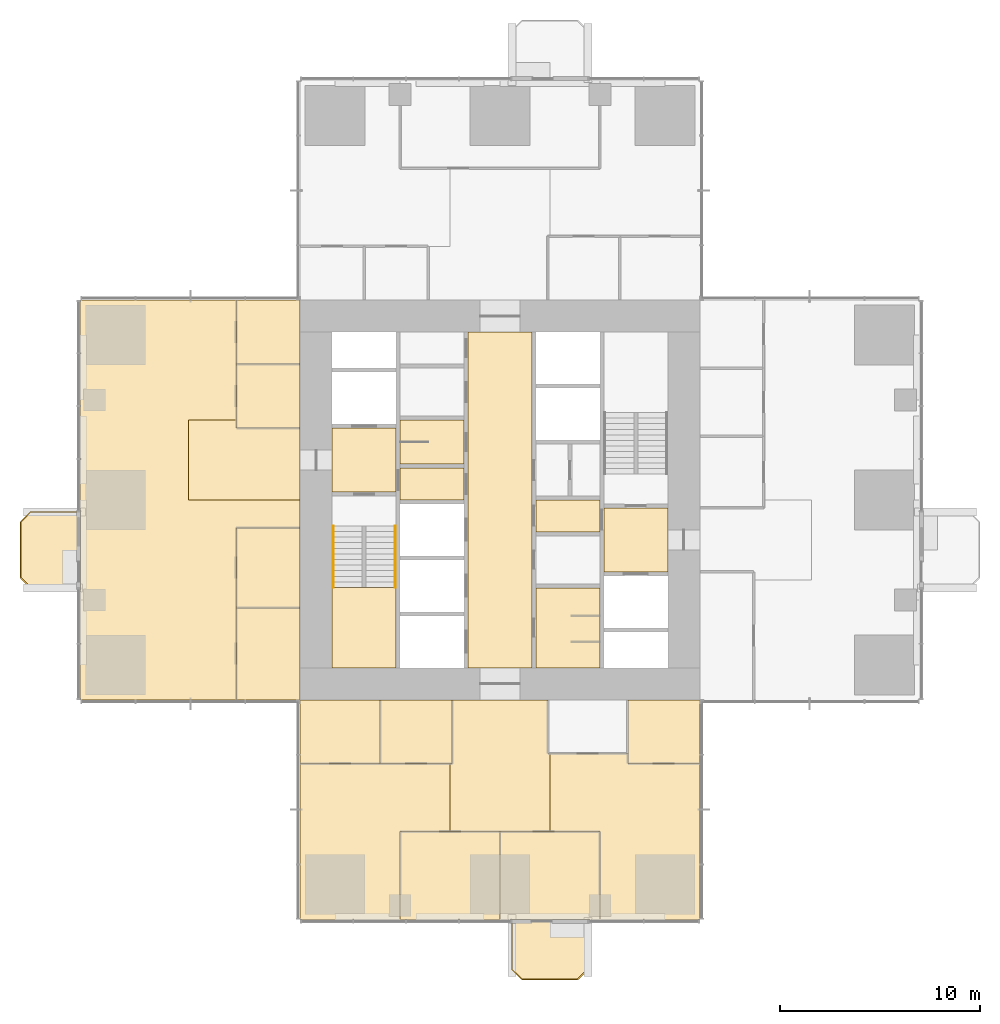
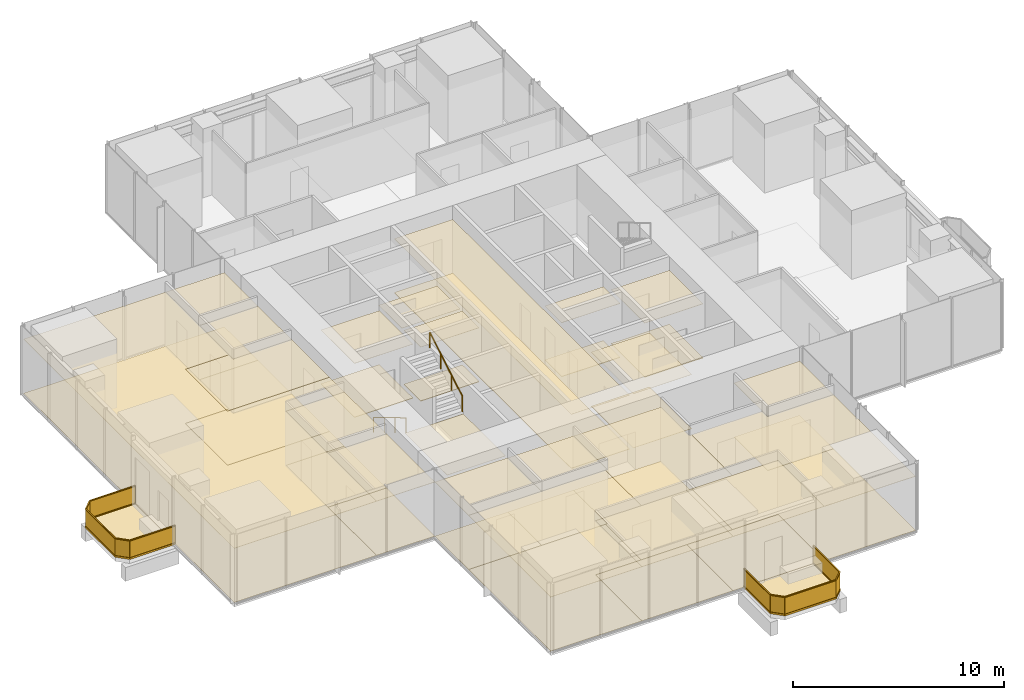
# One storey, part 11 of 13: 44 coverings, 4 railings.
"""IFC4 building model written with IfcOpenShell, lengths in metres."""

from ifc_helpers import new_model, si_unit, direction, frame, origin, origin_2d, place, context, subcontext, project, spatial, polyline, rectangle, circle, outline, extrude, material, layer, layer_set, type_object, element, save


model = new_model("IFC4")

# Units and contexts
model_context = context("Model", 3, precision=1e-05, world=origin(), true_north=direction((0.0, 1.0)))
body_context = subcontext(model_context, "Body", "Model", "MODEL_VIEW")
ifc_project = project(units=[si_unit("LENGTHUNIT", "METRE"), si_unit("AREAUNIT", "SQUARE_METRE"), si_unit("VOLUMEUNIT", "CUBIC_METRE"), si_unit("PLANEANGLEUNIT", "RADIAN"), si_unit("MASSUNIT", "GRAM", prefix="KILO")], contexts=[model_context])

# Site, building, storey
site_placement = place(None, origin())
site = spatial("IfcSite", under=ifc_project, at=site_placement, CompositionType="ELEMENT")
building_placement = place(site_placement, origin())
building = spatial("IfcBuilding", under=site, at=building_placement, Name="Svetlomir Tower", CompositionType="ELEMENT")
storey_placement = place(building_placement, frame((0.0, 0.0, 128.5)))
storey = spatial("IfcBuildingStorey", under=building, at=storey_placement, Name="L30", CompositionType="ELEMENT", Elevation=128.5)

# Railings
ifc_material_1 = material(Name="Bronze anodised aluminium and laminated glass", Category="aluminium")
railing_type_1 = type_object("IfcRailingType", Name="BALCONY GUARD GR1 1100", PredefinedType="GUARDRAIL", material=ifc_material_1)
railing_1_placement = place(storey_placement, frame((21.60009765625, 0.0, 0.0)))
element("IfcRailing", 1, at=railing_1_placement, inside=storey, type_object=railing_type_1, Name="Balcony guard S L30", PredefinedType="GUARDRAIL", context=body_context, shape_type="SweptSolid", body=[
    extrude(rectangle(XDim=0.06005859375, YDim=0.10009765625, at=origin_2d()), frame((0.0, 0.0, 0.050048828125), z_axis=(0.0, -1.0, 0.0), x_axis=(1.0, 0.0, 0.0)), (0.0, 0.0, 1.0), 2.5),
    extrude(rectangle(XDim=0.021484375, YDim=0.960205078125, at=origin_2d()), frame((0.0, 0.0, 0.580078125), z_axis=(0.0, -1.0, 0.0), x_axis=(1.0, 0.0, 0.0)), (0.0, 0.0, 1.0), 2.5),
    extrude(rectangle(XDim=0.06005859375, YDim=0.0400390625, at=origin_2d()), frame((0.0, 0.0, 1.080078125), z_axis=(0.0, -1.0, 0.0), x_axis=(1.0, 0.0, 0.0)), (0.0, 0.0, 1.0), 2.5),
    extrude(rectangle(XDim=0.06005859375, YDim=0.10009765625, at=origin_2d()), frame((0.0, -2.5, 0.050048828125), z_axis=(0.707106781187, -0.707106781187, 0.0), x_axis=(0.707106781187, 0.707106781187, 0.0)), (0.0, 0.0, 1.0), 0.70703125),
    extrude(rectangle(XDim=0.021484375, YDim=0.960205078125, at=origin_2d()), frame((0.0, -2.5, 0.580078125), z_axis=(0.707106781187, -0.707106781187, 0.0), x_axis=(0.707106781187, 0.707106781187, 0.0)), (0.0, 0.0, 1.0), 0.70703125),
    extrude(rectangle(XDim=0.06005859375, YDim=0.0400390625, at=origin_2d()), frame((0.0, -2.5, 1.080078125), z_axis=(0.707106781187, -0.707106781187, 0.0), x_axis=(0.707106781187, 0.707106781187, 0.0)), (0.0, 0.0, 1.0), 0.70703125),
    extrude(rectangle(XDim=0.06005859375, YDim=0.10009765625, at=origin_2d()), frame((0.5, -3.0, 0.050048828125), z_axis=(1.0, 0.0, 0.0), x_axis=(0.0, 1.0, 0.0)), (0.0, 0.0, 1.0), 2.7998046875),
    extrude(rectangle(XDim=0.021484375, YDim=0.960205078125, at=origin_2d()), frame((0.5, -3.0, 0.580078125), z_axis=(1.0, 0.0, 0.0), x_axis=(0.0, 1.0, 0.0)), (0.0, 0.0, 1.0), 2.7998046875),
    extrude(rectangle(XDim=0.06005859375, YDim=0.0400390625, at=origin_2d()), frame((0.5, -3.0, 1.080078125), z_axis=(1.0, 0.0, 0.0), x_axis=(0.0, 1.0, 0.0)), (0.0, 0.0, 1.0), 2.7998046875),
    extrude(rectangle(XDim=0.06005859375, YDim=0.10009765625, at=origin_2d()), frame((3.2998046875, -3.0, 0.050048828125), z_axis=(0.707106781187, 0.707106781187, 0.0), x_axis=(-0.707106781187, 0.707106781187, 0.0)), (0.0, 0.0, 1.0), 0.70703125),
    extrude(rectangle(XDim=0.021484375, YDim=0.960205078125, at=origin_2d()), frame((3.2998046875, -3.0, 0.580078125), z_axis=(0.707106781187, 0.707106781187, 0.0), x_axis=(-0.707106781187, 0.707106781187, 0.0)), (0.0, 0.0, 1.0), 0.70703125),
    extrude(rectangle(XDim=0.06005859375, YDim=0.0400390625, at=origin_2d()), frame((3.2998046875, -3.0, 1.080078125), z_axis=(0.707106781187, 0.707106781187, 0.0), x_axis=(-0.707106781187, 0.707106781187, 0.0)), (0.0, 0.0, 1.0), 0.70703125),
    extrude(rectangle(XDim=0.06005859375, YDim=0.10009765625, at=origin_2d()), frame((3.7998046875, -2.5, 0.050048828125), z_axis=(0.0, 1.0, 0.0), x_axis=(-1.0, 0.0, 0.0)), (0.0, 0.0, 1.0), 2.5),
    extrude(rectangle(XDim=0.021484375, YDim=0.960205078125, at=origin_2d()), frame((3.7998046875, -2.5, 0.580078125), z_axis=(0.0, 1.0, 0.0), x_axis=(-1.0, 0.0, 0.0)), (0.0, 0.0, 1.0), 2.5),
    extrude(rectangle(XDim=0.06005859375, YDim=0.0400390625, at=origin_2d()), frame((3.7998046875, -2.5, 1.080078125), z_axis=(0.0, 1.0, 0.0), x_axis=(-1.0, 0.0, 0.0)), (0.0, 0.0, 1.0), 2.5),
])
railing_2_placement = place(storey_placement, frame((0.0, 20.39990234375, 0.0)))
element("IfcRailing", 2, at=railing_2_placement, inside=storey, type_object=railing_type_1, Name="Balcony guard W L30", PredefinedType="GUARDRAIL", context=body_context, shape_type="SweptSolid", body=[
    extrude(rectangle(XDim=0.06005859375, YDim=0.10009765625, at=origin_2d()), frame((0.0, 0.0, 0.050048828125), z_axis=(-1.0, 0.0, 0.0), x_axis=(0.0, -1.0, 0.0)), (0.0, 0.0, 1.0), 2.5),
    extrude(rectangle(XDim=0.021484375, YDim=0.960205078125, at=origin_2d()), frame((0.0, 0.0, 0.580078125), z_axis=(-1.0, 0.0, 0.0), x_axis=(0.0, -1.0, 0.0)), (0.0, 0.0, 1.0), 2.5),
    extrude(rectangle(XDim=0.06005859375, YDim=0.0400390625, at=origin_2d()), frame((0.0, 0.0, 1.080078125), z_axis=(-1.0, 0.0, 0.0), x_axis=(0.0, -1.0, 0.0)), (0.0, 0.0, 1.0), 2.5),
    extrude(rectangle(XDim=0.06005859375, YDim=0.10009765625, at=origin_2d()), frame((-2.5, 0.0, 0.050048828125), z_axis=(-0.707106781187, -0.707106781187, 0.0), x_axis=(0.707106781187, -0.707106781187, 0.0)), (0.0, 0.0, 1.0), 0.70703125),
    extrude(rectangle(XDim=0.021484375, YDim=0.960205078125, at=origin_2d()), frame((-2.5, 0.0, 0.580078125), z_axis=(-0.707106781187, -0.707106781187, 0.0), x_axis=(0.707106781187, -0.707106781187, 0.0)), (0.0, 0.0, 1.0), 0.70703125),
    extrude(rectangle(XDim=0.06005859375, YDim=0.0400390625, at=origin_2d()), frame((-2.5, 0.0, 1.080078125), z_axis=(-0.707106781187, -0.707106781187, 0.0), x_axis=(0.707106781187, -0.707106781187, 0.0)), (0.0, 0.0, 1.0), 0.70703125),
    extrude(rectangle(XDim=0.06005859375, YDim=0.10009765625, at=origin_2d()), frame((-3.0, -0.5, 0.050048828125), z_axis=(0.0, -1.0, 0.0), x_axis=(1.0, 0.0, 0.0)), (0.0, 0.0, 1.0), 2.7998046875),
    extrude(rectangle(XDim=0.021484375, YDim=0.960205078125, at=origin_2d()), frame((-3.0, -0.5, 0.580078125), z_axis=(0.0, -1.0, 0.0), x_axis=(1.0, 0.0, 0.0)), (0.0, 0.0, 1.0), 2.7998046875),
    extrude(rectangle(XDim=0.06005859375, YDim=0.0400390625, at=origin_2d()), frame((-3.0, -0.5, 1.080078125), z_axis=(0.0, -1.0, 0.0), x_axis=(1.0, 0.0, 0.0)), (0.0, 0.0, 1.0), 2.7998046875),
    extrude(rectangle(XDim=0.06005859375, YDim=0.10009765625, at=origin_2d()), frame((-3.0, -3.2998046875, 0.050048828125), z_axis=(0.707106781187, -0.707106781187, 0.0), x_axis=(0.707106781187, 0.707106781187, 0.0)), (0.0, 0.0, 1.0), 0.70703125),
    extrude(rectangle(XDim=0.021484375, YDim=0.960205078125, at=origin_2d()), frame((-3.0, -3.2998046875, 0.580078125), z_axis=(0.707106781187, -0.707106781187, 0.0), x_axis=(0.707106781187, 0.707106781187, 0.0)), (0.0, 0.0, 1.0), 0.70703125),
    extrude(rectangle(XDim=0.06005859375, YDim=0.0400390625, at=origin_2d()), frame((-3.0, -3.2998046875, 1.080078125), z_axis=(0.707106781187, -0.707106781187, 0.0), x_axis=(0.707106781187, 0.707106781187, 0.0)), (0.0, 0.0, 1.0), 0.70703125),
    extrude(rectangle(XDim=0.06005859375, YDim=0.10009765625, at=origin_2d()), frame((-2.5, -3.7998046875, 0.050048828125), z_axis=(1.0, 0.0, 0.0), x_axis=(0.0, 1.0, 0.0)), (0.0, 0.0, 1.0), 2.5),
    extrude(rectangle(XDim=0.021484375, YDim=0.960205078125, at=origin_2d()), frame((-2.5, -3.7998046875, 0.580078125), z_axis=(1.0, 0.0, 0.0), x_axis=(0.0, 1.0, 0.0)), (0.0, 0.0, 1.0), 2.5),
    extrude(rectangle(XDim=0.06005859375, YDim=0.0400390625, at=origin_2d()), frame((-2.5, -3.7998046875, 1.080078125), z_axis=(1.0, 0.0, 0.0), x_axis=(0.0, 1.0, 0.0)), (0.0, 0.0, 1.0), 2.5),
])

# Coverings
ifc_material_2 = material(Name="Granite paving slabs on pedestals", Category="masonry")
ifc_layer_1 = layer(ifc_material_2, 0.0400390625)
ifc_layer_set_1 = layer_set([ifc_layer_1], Name="Granite paving slabs on pedestals")
covering_type_1 = type_object("IfcCoveringType", Name="BALCONY PAVING 40", PredefinedType="USERDEFINED", material=ifc_layer_set_1)
covering_1_placement = place(storey_placement, origin())
element("IfcCovering", 3, at=covering_1_placement, inside=storey, type_object=covering_type_1, Name="Balcony paving S L30", ObjectType="BALCONY PAVING", PredefinedType="USERDEFINED", context=body_context, shape_type="SweptSolid", body=[
    extrude(outline(polyline([(21.60009765625, -2.5), (22.10009765625, -3.0), (24.89990234375, -3.0), (25.39990234375, -2.5), (25.39990234375, 0.0), (21.60009765625, 0.0), (21.60009765625, -2.5)])), origin(), (0.0, 0.0, 1.0), 0.0400390625),
])
covering_2_placement = place(storey_placement, origin())
element("IfcCovering", 4, at=covering_2_placement, inside=storey, type_object=covering_type_1, Name="Balcony paving W L30", ObjectType="BALCONY PAVING", PredefinedType="USERDEFINED", context=body_context, shape_type="SweptSolid", body=[
    extrude(outline(polyline([(-2.5, 16.60009765625), (0.0, 16.60009765625), (0.0, 20.39990234375), (-2.5, 20.39990234375), (-3.0, 19.89990234375), (-3.0, 17.10009765625), (-2.5, 16.60009765625)])), origin(), (0.0, 0.0, 1.0), 0.0400390625),
])
ifc_material_3 = material(Name="Carpet tile", Category="textile")
ifc_layer_2 = layer(ifc_material_3, 0.010009765625)
ifc_layer_set_2 = layer_set([ifc_layer_2], Name="Carpet tile")
covering_type_2 = type_object("IfcCoveringType", Name="CARPET TILE FLOOR 10", PredefinedType="FLOORING", material=ifc_layer_set_2)
covering_3_placement = place(storey_placement, origin())
element("IfcCovering", 5, at=covering_3_placement, inside=storey, type_object=covering_type_2, Name="Floor finish L30-15", PredefinedType="FLOORING", context=body_context, shape_type="SweptSolid", body=[
    extrude(outline(polyline([(11.0, 7.800048828125), (15.0, 7.800048828125), (15.0, 11.0), (11.0, 11.0), (11.0, 7.800048828125)])), origin(), (0.0, 0.0, 1.0), 0.010009765625),
])
covering_4_placement = place(storey_placement, origin())
element("IfcCovering", 6, at=covering_4_placement, inside=storey, type_object=covering_type_2, Name="Floor finish L30-16", PredefinedType="FLOORING", context=body_context, shape_type="SweptSolid", body=[
    extrude(outline(polyline([(15.0, 7.800048828125), (18.60009765625, 7.800048828125), (18.60009765625, 11.0), (15.0, 11.0), (15.0, 7.800048828125)])), origin(), (0.0, 0.0, 1.0), 0.010009765625),
])
covering_5_placement = place(storey_placement, origin())
element("IfcCovering", 7, at=covering_5_placement, inside=storey, type_object=covering_type_2, Name="Floor finish L30-18", PredefinedType="FLOORING", context=body_context, shape_type="SweptSolid", body=[
    extrude(outline(polyline([(27.39990234375, 7.800048828125), (31.0, 7.800048828125), (31.0, 11.0), (27.39990234375, 11.0), (27.39990234375, 7.800048828125)])), origin(), (0.0, 0.0, 1.0), 0.010009765625),
])
covering_6_placement = place(storey_placement, origin())
element("IfcCovering", 8, at=covering_6_placement, inside=storey, type_object=covering_type_2, Name="Floor finish L30-19", PredefinedType="FLOORING", context=body_context, shape_type="SweptSolid", body=[
    extrude(outline(polyline([(16.0, 0.0), (21.0, 0.0), (21.0, 4.39990234375), (16.0, 4.39990234375), (16.0, 0.0)])), origin(), (0.0, 0.0, 1.0), 0.010009765625),
])
covering_7_placement = place(storey_placement, origin())
element("IfcCovering", 9, at=covering_7_placement, inside=storey, type_object=covering_type_2, Name="Floor finish L30-20", PredefinedType="FLOORING", context=body_context, shape_type="SweptSolid", body=[
    extrude(outline(polyline([(21.0, 0.0), (26.0, 0.0), (26.0, 4.39990234375), (21.0, 4.39990234375), (21.0, 0.0)])), origin(), (0.0, 0.0, 1.0), 0.010009765625),
])
covering_8_placement = place(storey_placement, origin())
element("IfcCovering", 10, at=covering_8_placement, inside=storey, type_object=covering_type_2, Name="Floor finish L30-30", PredefinedType="FLOORING", context=body_context, shape_type="SweptSolid", body=[
    extrude(outline(polyline([(7.800048828125, 11.0), (11.0, 11.0), (11.0, 15.60009765625), (7.800048828125, 15.60009765625), (7.800048828125, 11.0)])), origin(), (0.0, 0.0, 1.0), 0.010009765625),
])
covering_9_placement = place(storey_placement, origin())
element("IfcCovering", 11, at=covering_9_placement, inside=storey, type_object=covering_type_2, Name="Floor finish L30-31", PredefinedType="FLOORING", context=body_context, shape_type="SweptSolid", body=[
    extrude(outline(polyline([(7.800048828125, 15.60009765625), (11.0, 15.60009765625), (11.0, 19.60009765625), (7.800048828125, 19.60009765625), (7.800048828125, 15.60009765625)])), origin(), (0.0, 0.0, 1.0), 0.010009765625),
])
covering_10_placement = place(storey_placement, origin())
element("IfcCovering", 12, at=covering_10_placement, inside=storey, type_object=covering_type_2, Name="Floor finish L30-32", PredefinedType="FLOORING", context=body_context, shape_type="SweptSolid", body=[
    extrude(outline(polyline([(7.800048828125, 24.60009765625), (11.0, 24.60009765625), (11.0, 27.800048828125), (7.800048828125, 27.800048828125), (7.800048828125, 24.60009765625)])), origin(), (0.0, 0.0, 1.0), 0.010009765625),
])
covering_11_placement = place(storey_placement, origin())
element("IfcCovering", 13, at=covering_11_placement, inside=storey, type_object=covering_type_2, Name="Floor finish L30-33", PredefinedType="FLOORING", context=body_context, shape_type="SweptSolid", body=[
    extrude(outline(polyline([(7.800048828125, 27.800048828125), (11.0, 27.800048828125), (11.0, 31.0), (7.800048828125, 31.0), (7.800048828125, 27.800048828125)])), origin(), (0.0, 0.0, 1.0), 0.010009765625),
])
covering_12_placement = place(storey_placement, origin())
element("IfcCovering", 14, at=covering_12_placement, inside=storey, type_object=covering_type_2, Name="Floor finish L30-34", PredefinedType="FLOORING", context=body_context, shape_type="SweptSolid", body=[
    extrude(outline(polyline([(18.5, 4.39990234375), (18.5, 7.800048828125), (18.60009765625, 7.800048828125), (18.60009765625, 11.0), (23.39990234375, 11.0), (23.39990234375, 8.300048828125), (23.5, 8.300048828125), (23.5, 4.39990234375), (18.5, 4.39990234375)])), origin(), (0.0, 0.0, 1.0), 0.010009765625),
])
covering_13_placement = place(storey_placement, origin())
element("IfcCovering", 15, at=covering_13_placement, inside=storey, type_object=covering_type_2, Name="Floor finish L30-36", PredefinedType="FLOORING", context=body_context, shape_type="SweptSolid", body=[
    extrude(outline(polyline([(5.39990234375, 21.0), (5.39990234375, 25.0), (7.800048828125, 25.0), (7.800048828125, 24.60009765625), (11.0, 24.60009765625), (11.0, 21.0), (5.39990234375, 21.0)])), origin(), (0.0, 0.0, 1.0), 0.010009765625),
])
covering_14_placement = place(storey_placement, origin())
element("IfcCovering", 16, at=covering_14_placement, inside=storey, type_object=covering_type_2, Name="Floor finish L30-38", PredefinedType="FLOORING", context=body_context, shape_type="SweptSolid", body=[
    extrude(outline(polyline([(18.5, 7.800048828125), (18.5, 4.39990234375), (16.0, 4.39990234375), (16.0, 0.0), (11.0, 0.0), (11.0, 7.800048828125), (18.5, 7.800048828125)])), origin(), (0.0, 0.0, 1.0), 0.010009765625),
])
covering_15_placement = place(storey_placement, origin())
element("IfcCovering", 17, at=covering_15_placement, inside=storey, type_object=covering_type_2, Name="Floor finish L30-39", PredefinedType="FLOORING", context=body_context, shape_type="SweptSolid", body=[
    extrude(outline(polyline([(27.39990234375, 7.800048828125), (31.0, 7.800048828125), (31.0, 0.0), (26.0, 0.0), (26.0, 4.39990234375), (23.5, 4.39990234375), (23.5, 8.300048828125), (27.39990234375, 8.300048828125), (27.39990234375, 7.800048828125)])), origin(), (0.0, 0.0, 1.0), 0.010009765625),
])
covering_16_placement = place(storey_placement, origin())
element("IfcCovering", 18, at=covering_16_placement, inside=storey, type_object=covering_type_2, Name="Floor finish L30-43", PredefinedType="FLOORING", context=body_context, shape_type="SweptSolid", body=[
    extrude(outline(polyline([(7.800048828125, 31.0), (7.800048828125, 25.0), (5.39990234375, 25.0), (5.39990234375, 21.0), (11.0, 21.0), (11.0, 19.60009765625), (7.800048828125, 19.60009765625), (7.800048828125, 11.0), (0.0, 11.0), (0.0, 31.0), (7.800048828125, 31.0)])), origin(), (0.0, 0.0, 1.0), 0.010009765625),
])
ifc_material_4 = material(Name="Ceramic floor tile", Category="ceramic")
ifc_layer_3 = layer(ifc_material_4, 0.014892578125)
ifc_layer_set_3 = layer_set([ifc_layer_3], Name="Ceramic floor tile")
covering_type_3 = type_object("IfcCoveringType", Name="CERAMIC TILE FLOOR 15", PredefinedType="FLOORING", material=ifc_layer_set_3)
covering_17_placement = place(storey_placement, origin())
element("IfcCovering", 19, at=covering_17_placement, inside=storey, type_object=covering_type_3, Name="Floor finish L30-08", PredefinedType="FLOORING", context=body_context, shape_type="SweptSolid", body=[
    extrude(outline(polyline([(22.800048828125, 12.60009765625), (26.0, 12.60009765625), (26.0, 16.60009765625), (22.800048828125, 16.60009765625), (22.800048828125, 12.60009765625)])), origin(), (0.0, 0.0, 1.0), 0.014892578125),
])

# Railings
ifc_material_5 = material(Name="Stainless steel", Category="steel")
railing_type_2 = type_object("IfcRailingType", Name="HANDRAIL HR1 900", PredefinedType="HANDRAIL", material=ifc_material_5)
railing_3_placement = place(storey_placement, frame((12.64990234375, 19.699951171875, 0.166748046875)))
element("IfcRailing", 20, at=railing_3_placement, inside=storey, type_object=railing_type_2, Name="Handrail S1 flight 1 L30", PredefinedType="HANDRAIL", context=body_context, shape_type="SweptSolid", body=[
    extrude(circle(Radius=0.02392578125, at=origin_2d()), frame((0.0, 0.0, 0.8759765625), z_axis=(0.0, -0.859290745958, 0.51148745235), x_axis=(1.0, 0.0, 0.0)), (0.0, 0.0, 1.0), 3.584228515625),
    extrude(circle(Radius=0.02099609375, at=origin_2d()), origin(), (0.0, 0.0, 1.0), 0.851806640625),
    extrude(circle(Radius=0.02099609375, at=origin_2d()), frame((0.0, -1.026611328125, 0.611083984375)), (0.0, 0.0, 1.0), 0.851806640625),
    extrude(circle(Radius=0.02099609375, at=origin_2d()), frame((0.0, -2.05322265625, 1.22216796875)), (0.0, 0.0, 1.0), 0.851806640625),
    extrude(circle(Radius=0.02099609375, at=origin_2d()), frame((0.0, -3.079833984375, 1.833251953125)), (0.0, 0.0, 1.0), 0.851806640625),
])
railing_4_placement = place(storey_placement, frame((15.75, 16.6201171875, 2.166748046875)))
element("IfcRailing", 21, at=railing_4_placement, inside=storey, type_object=railing_type_2, Name="Handrail S1 flight 2 L30", PredefinedType="HANDRAIL", context=body_context, shape_type="SweptSolid", body=[
    extrude(circle(Radius=0.02392578125, at=origin_2d()), frame((0.0, 0.0, 0.8759765625), z_axis=(0.0, 0.859290745958, 0.51148745235), x_axis=(-1.0, 0.0, 0.0)), (0.0, 0.0, 1.0), 3.584228515625),
    extrude(circle(Radius=0.02099609375, at=origin_2d()), origin(), (0.0, 0.0, 1.0), 0.851806640625),
    extrude(circle(Radius=0.02099609375, at=origin_2d()), frame((0.0, 1.026611328125, 0.611083984375)), (0.0, 0.0, 1.0), 0.851806640625),
    extrude(circle(Radius=0.02099609375, at=origin_2d()), frame((0.0, 2.05322265625, 1.22216796875)), (0.0, 0.0, 1.0), 0.851806640625),
    extrude(circle(Radius=0.02099609375, at=origin_2d()), frame((0.0, 3.079833984375, 1.833251953125)), (0.0, 0.0, 1.0), 0.851806640625),
])

# Coverings
ifc_material_6 = material(Name="Moisture resistant plasterboard ceiling", Category="gypsum")
ifc_layer_4 = layer(ifc_material_6, 0.012451171875)
ifc_layer_set_4 = layer_set([ifc_layer_4], Name="Moisture resistant plasterboard ceiling")
covering_type_4 = type_object("IfcCoveringType", Name="MOISTURE RESISTANT CEILING 12.5", PredefinedType="CEILING", material=ifc_layer_set_4)
covering_18_placement = place(storey_placement, frame((0.0, 0.0, 3.137451171875)))
element("IfcCovering", 22, at=covering_18_placement, inside=storey, type_object=covering_type_4, Name="Ceiling L30-04", PredefinedType="CEILING", context=body_context, shape_type="SweptSolid", body=[
    extrude(outline(polyline([(16.0, 22.800048828125), (19.199951171875, 22.800048828125), (19.199951171875, 25.0), (16.0, 25.0), (16.0, 22.800048828125)])), origin(), (0.0, 0.0, 1.0), 0.012451171875),
])
covering_19_placement = place(storey_placement, frame((0.0, 0.0, 3.137451171875)))
element("IfcCovering", 23, at=covering_19_placement, inside=storey, type_object=covering_type_4, Name="Ceiling L30-08", PredefinedType="CEILING", context=body_context, shape_type="SweptSolid", body=[
    extrude(outline(polyline([(22.800048828125, 12.60009765625), (26.0, 12.60009765625), (26.0, 16.60009765625), (22.800048828125, 16.60009765625), (22.800048828125, 12.60009765625)])), origin(), (0.0, 0.0, 1.0), 0.012451171875),
])
ifc_material_7 = material(Name="Gypsum plasterboard ceiling", Category="gypsum")
ifc_layer_5 = layer(ifc_material_7, 0.014892578125)
ifc_layer_set_5 = layer_set([ifc_layer_5], Name="Gypsum plasterboard ceiling")
covering_type_5 = type_object("IfcCoveringType", Name="PLASTERBOARD CEILING 15", PredefinedType="CEILING", material=ifc_layer_set_5)
covering_20_placement = place(storey_placement, frame((0.0, 0.0, 3.135009765625)))
element("IfcCovering", 24, at=covering_20_placement, inside=storey, type_object=covering_type_5, Name="Ceiling L30-02", PredefinedType="CEILING", context=body_context, shape_type="SweptSolid", body=[
    extrude(outline(polyline([(12.60009765625, 21.39990234375), (15.800048828125, 21.39990234375), (15.800048828125, 24.60009765625), (12.60009765625, 24.60009765625), (12.60009765625, 21.39990234375)])), origin(), (0.0, 0.0, 1.0), 0.014892578125),
])
covering_21_placement = place(storey_placement, frame((0.0, 0.0, 3.135009765625)))
element("IfcCovering", 25, at=covering_21_placement, inside=storey, type_object=covering_type_5, Name="Ceiling L30-03", PredefinedType="CEILING", context=body_context, shape_type="SweptSolid", body=[
    extrude(outline(polyline([(16.0, 21.0), (19.199951171875, 21.0), (19.199951171875, 22.60009765625), (16.0, 22.60009765625), (16.0, 21.0)])), origin(), (0.0, 0.0, 1.0), 0.014892578125),
])
covering_22_placement = place(storey_placement, frame((0.0, 0.0, 3.135009765625)))
element("IfcCovering", 26, at=covering_22_placement, inside=storey, type_object=covering_type_5, Name="Ceiling L30-07", PredefinedType="CEILING", context=body_context, shape_type="SweptSolid", body=[
    extrude(outline(polyline([(19.39990234375, 12.60009765625), (22.60009765625, 12.60009765625), (22.60009765625, 29.39990234375), (19.39990234375, 29.39990234375), (19.39990234375, 12.60009765625)])), origin(), (0.0, 0.0, 1.0), 0.014892578125),
])
covering_23_placement = place(storey_placement, frame((0.0, 0.0, 3.135009765625)))
element("IfcCovering", 27, at=covering_23_placement, inside=storey, type_object=covering_type_5, Name="Ceiling L30-10", PredefinedType="CEILING", context=body_context, shape_type="SweptSolid", body=[
    extrude(outline(polyline([(22.800048828125, 19.39990234375), (26.0, 19.39990234375), (26.0, 21.0), (22.800048828125, 21.0), (22.800048828125, 19.39990234375)])), origin(), (0.0, 0.0, 1.0), 0.014892578125),
])
covering_24_placement = place(storey_placement, frame((0.0, 0.0, 3.135009765625)))
element("IfcCovering", 28, at=covering_24_placement, inside=storey, type_object=covering_type_5, Name="Ceiling L30-11", PredefinedType="CEILING", context=body_context, shape_type="SweptSolid", body=[
    extrude(outline(polyline([(26.199951171875, 17.39990234375), (29.39990234375, 17.39990234375), (29.39990234375, 20.60009765625), (26.199951171875, 20.60009765625), (26.199951171875, 17.39990234375)])), origin(), (0.0, 0.0, 1.0), 0.014892578125),
])
ifc_material_8 = material(Name="Studded rubber floor finish", Category="rubber")
ifc_layer_6 = layer(ifc_material_8, 0.006103515625)
ifc_layer_set_6 = layer_set([ifc_layer_6], Name="Studded rubber floor finish")
covering_type_6 = type_object("IfcCoveringType", Name="RUBBER LANDING FINISH 6", PredefinedType="FLOORING", material=ifc_layer_set_6)
covering_25_placement = place(storey_placement, frame((0.0, 0.0, 2.0)))
element("IfcCovering", 29, at=covering_25_placement, inside=storey, type_object=covering_type_6, Name="Stair S1 landing finish L30", PredefinedType="FLOORING", context=body_context, shape_type="SweptSolid", body=[
    extrude(outline(polyline([(12.60009765625, 12.60009765625), (15.800048828125, 12.60009765625), (15.800048828125, 16.6201171875), (12.60009765625, 16.6201171875), (12.60009765625, 12.60009765625)])), origin(), (0.0, 0.0, 1.0), 0.006103515625),
])
ifc_material_9 = material(Name="Mineral fibre ceiling tile", Category="mineral")
ifc_layer_7 = layer(ifc_material_9, 0.02001953125)
ifc_layer_set_7 = layer_set([ifc_layer_7], Name="Mineral fibre ceiling tile")
covering_type_7 = type_object("IfcCoveringType", Name="SUSPENDED CEILING 20", PredefinedType="CEILING", material=ifc_layer_set_7)
covering_26_placement = place(storey_placement, frame((0.0, 0.0, 3.1298828125)))
element("IfcCovering", 30, at=covering_26_placement, inside=storey, type_object=covering_type_7, Name="Ceiling L30-15", PredefinedType="CEILING", context=body_context, shape_type="SweptSolid", body=[
    extrude(outline(polyline([(11.0, 7.800048828125), (15.0, 7.800048828125), (15.0, 11.0), (11.0, 11.0), (11.0, 7.800048828125)])), origin(), (0.0, 0.0, 1.0), 0.02001953125),
])
covering_27_placement = place(storey_placement, frame((0.0, 0.0, 3.1298828125)))
element("IfcCovering", 31, at=covering_27_placement, inside=storey, type_object=covering_type_7, Name="Ceiling L30-16", PredefinedType="CEILING", context=body_context, shape_type="SweptSolid", body=[
    extrude(outline(polyline([(15.0, 7.800048828125), (18.60009765625, 7.800048828125), (18.60009765625, 11.0), (15.0, 11.0), (15.0, 7.800048828125)])), origin(), (0.0, 0.0, 1.0), 0.02001953125),
])
covering_28_placement = place(storey_placement, frame((0.0, 0.0, 3.1298828125)))
element("IfcCovering", 32, at=covering_28_placement, inside=storey, type_object=covering_type_7, Name="Ceiling L30-18", PredefinedType="CEILING", context=body_context, shape_type="SweptSolid", body=[
    extrude(outline(polyline([(27.39990234375, 7.800048828125), (31.0, 7.800048828125), (31.0, 11.0), (27.39990234375, 11.0), (27.39990234375, 7.800048828125)])), origin(), (0.0, 0.0, 1.0), 0.02001953125),
])
covering_29_placement = place(storey_placement, frame((0.0, 0.0, 3.1298828125)))
element("IfcCovering", 33, at=covering_29_placement, inside=storey, type_object=covering_type_7, Name="Ceiling L30-19", PredefinedType="CEILING", context=body_context, shape_type="SweptSolid", body=[
    extrude(outline(polyline([(16.0, 0.0), (21.0, 0.0), (21.0, 4.39990234375), (16.0, 4.39990234375), (16.0, 0.0)])), origin(), (0.0, 0.0, 1.0), 0.02001953125),
])
covering_30_placement = place(storey_placement, frame((0.0, 0.0, 3.1298828125)))
element("IfcCovering", 34, at=covering_30_placement, inside=storey, type_object=covering_type_7, Name="Ceiling L30-20", PredefinedType="CEILING", context=body_context, shape_type="SweptSolid", body=[
    extrude(outline(polyline([(21.0, 0.0), (26.0, 0.0), (26.0, 4.39990234375), (21.0, 4.39990234375), (21.0, 0.0)])), origin(), (0.0, 0.0, 1.0), 0.02001953125),
])
covering_31_placement = place(storey_placement, frame((0.0, 0.0, 3.1298828125)))
element("IfcCovering", 35, at=covering_31_placement, inside=storey, type_object=covering_type_7, Name="Ceiling L30-30", PredefinedType="CEILING", context=body_context, shape_type="SweptSolid", body=[
    extrude(outline(polyline([(7.800048828125, 11.0), (11.0, 11.0), (11.0, 15.60009765625), (7.800048828125, 15.60009765625), (7.800048828125, 11.0)])), origin(), (0.0, 0.0, 1.0), 0.02001953125),
])
covering_32_placement = place(storey_placement, frame((0.0, 0.0, 3.1298828125)))
element("IfcCovering", 36, at=covering_32_placement, inside=storey, type_object=covering_type_7, Name="Ceiling L30-31", PredefinedType="CEILING", context=body_context, shape_type="SweptSolid", body=[
    extrude(outline(polyline([(7.800048828125, 15.60009765625), (11.0, 15.60009765625), (11.0, 19.60009765625), (7.800048828125, 19.60009765625), (7.800048828125, 15.60009765625)])), origin(), (0.0, 0.0, 1.0), 0.02001953125),
])
covering_33_placement = place(storey_placement, frame((0.0, 0.0, 3.1298828125)))
element("IfcCovering", 37, at=covering_33_placement, inside=storey, type_object=covering_type_7, Name="Ceiling L30-32", PredefinedType="CEILING", context=body_context, shape_type="SweptSolid", body=[
    extrude(outline(polyline([(7.800048828125, 24.60009765625), (11.0, 24.60009765625), (11.0, 27.800048828125), (7.800048828125, 27.800048828125), (7.800048828125, 24.60009765625)])), origin(), (0.0, 0.0, 1.0), 0.02001953125),
])
covering_34_placement = place(storey_placement, frame((0.0, 0.0, 3.1298828125)))
element("IfcCovering", 38, at=covering_34_placement, inside=storey, type_object=covering_type_7, Name="Ceiling L30-33", PredefinedType="CEILING", context=body_context, shape_type="SweptSolid", body=[
    extrude(outline(polyline([(7.800048828125, 27.800048828125), (11.0, 27.800048828125), (11.0, 31.0), (7.800048828125, 31.0), (7.800048828125, 27.800048828125)])), origin(), (0.0, 0.0, 1.0), 0.02001953125),
])
covering_35_placement = place(storey_placement, frame((0.0, 0.0, 3.1298828125)))
element("IfcCovering", 39, at=covering_35_placement, inside=storey, type_object=covering_type_7, Name="Ceiling L30-34", PredefinedType="CEILING", context=body_context, shape_type="SweptSolid", body=[
    extrude(outline(polyline([(18.5, 4.39990234375), (18.5, 7.800048828125), (18.60009765625, 7.800048828125), (18.60009765625, 11.0), (23.39990234375, 11.0), (23.39990234375, 8.300048828125), (23.5, 8.300048828125), (23.5, 4.39990234375), (18.5, 4.39990234375)])), origin(), (0.0, 0.0, 1.0), 0.02001953125),
])
covering_36_placement = place(storey_placement, frame((0.0, 0.0, 3.1298828125)))
element("IfcCovering", 40, at=covering_36_placement, inside=storey, type_object=covering_type_7, Name="Ceiling L30-36", PredefinedType="CEILING", context=body_context, shape_type="SweptSolid", body=[
    extrude(outline(polyline([(5.39990234375, 21.0), (5.39990234375, 25.0), (7.800048828125, 25.0), (7.800048828125, 24.60009765625), (11.0, 24.60009765625), (11.0, 21.0), (5.39990234375, 21.0)])), origin(), (0.0, 0.0, 1.0), 0.02001953125),
])
covering_37_placement = place(storey_placement, frame((0.0, 0.0, 3.1298828125)))
element("IfcCovering", 41, at=covering_37_placement, inside=storey, type_object=covering_type_7, Name="Ceiling L30-38", PredefinedType="CEILING", context=body_context, shape_type="SweptSolid", body=[
    extrude(outline(polyline([(18.5, 7.800048828125), (18.5, 4.39990234375), (16.0, 4.39990234375), (16.0, 0.0), (11.0, 0.0), (11.0, 7.800048828125), (18.5, 7.800048828125)])), origin(), (0.0, 0.0, 1.0), 0.02001953125),
])
covering_38_placement = place(storey_placement, frame((0.0, 0.0, 3.1298828125)))
element("IfcCovering", 42, at=covering_38_placement, inside=storey, type_object=covering_type_7, Name="Ceiling L30-39", PredefinedType="CEILING", context=body_context, shape_type="SweptSolid", body=[
    extrude(outline(polyline([(27.39990234375, 7.800048828125), (31.0, 7.800048828125), (31.0, 0.0), (26.0, 0.0), (26.0, 4.39990234375), (23.5, 4.39990234375), (23.5, 8.300048828125), (27.39990234375, 8.300048828125), (27.39990234375, 7.800048828125)])), origin(), (0.0, 0.0, 1.0), 0.02001953125),
])
covering_39_placement = place(storey_placement, frame((0.0, 0.0, 3.1298828125)))
element("IfcCovering", 43, at=covering_39_placement, inside=storey, type_object=covering_type_7, Name="Ceiling L30-43", PredefinedType="CEILING", context=body_context, shape_type="SweptSolid", body=[
    extrude(outline(polyline([(7.800048828125, 31.0), (7.800048828125, 25.0), (5.39990234375, 25.0), (5.39990234375, 21.0), (11.0, 21.0), (11.0, 19.60009765625), (7.800048828125, 19.60009765625), (7.800048828125, 11.0), (0.0, 11.0), (0.0, 31.0), (7.800048828125, 31.0)])), origin(), (0.0, 0.0, 1.0), 0.02001953125),
])
ifc_material_10 = material(Name="Bronze-aggregate terrazzo", Category="stone")
ifc_layer_8 = layer(ifc_material_10, 0.030029296875)
ifc_layer_set_8 = layer_set([ifc_layer_8], Name="Bronze-aggregate terrazzo")
covering_type_8 = type_object("IfcCoveringType", Name="TERRAZZO FLOOR 30", PredefinedType="FLOORING", material=ifc_layer_set_8)
covering_40_placement = place(storey_placement, origin())
element("IfcCovering", 44, at=covering_40_placement, inside=storey, type_object=covering_type_8, Name="Floor finish L30-02", PredefinedType="FLOORING", context=body_context, shape_type="SweptSolid", body=[
    extrude(outline(polyline([(12.60009765625, 21.39990234375), (15.800048828125, 21.39990234375), (15.800048828125, 24.60009765625), (12.60009765625, 24.60009765625), (12.60009765625, 21.39990234375)])), origin(), (0.0, 0.0, 1.0), 0.030029296875),
])
covering_41_placement = place(storey_placement, origin())
element("IfcCovering", 45, at=covering_41_placement, inside=storey, type_object=covering_type_8, Name="Floor finish L30-03", PredefinedType="FLOORING", context=body_context, shape_type="SweptSolid", body=[
    extrude(outline(polyline([(16.0, 21.0), (19.199951171875, 21.0), (19.199951171875, 22.60009765625), (16.0, 22.60009765625), (16.0, 21.0)])), origin(), (0.0, 0.0, 1.0), 0.030029296875),
])
covering_42_placement = place(storey_placement, origin())
element("IfcCovering", 46, at=covering_42_placement, inside=storey, type_object=covering_type_8, Name="Floor finish L30-07", PredefinedType="FLOORING", context=body_context, shape_type="SweptSolid", body=[
    extrude(outline(polyline([(19.39990234375, 12.60009765625), (22.60009765625, 12.60009765625), (22.60009765625, 29.39990234375), (19.39990234375, 29.39990234375), (19.39990234375, 12.60009765625)])), origin(), (0.0, 0.0, 1.0), 0.030029296875),
])
covering_43_placement = place(storey_placement, origin())
element("IfcCovering", 47, at=covering_43_placement, inside=storey, type_object=covering_type_8, Name="Floor finish L30-10", PredefinedType="FLOORING", context=body_context, shape_type="SweptSolid", body=[
    extrude(outline(polyline([(22.800048828125, 19.39990234375), (26.0, 19.39990234375), (26.0, 21.0), (22.800048828125, 21.0), (22.800048828125, 19.39990234375)])), origin(), (0.0, 0.0, 1.0), 0.030029296875),
])
covering_44_placement = place(storey_placement, origin())
element("IfcCovering", 48, at=covering_44_placement, inside=storey, type_object=covering_type_8, Name="Floor finish L30-11", PredefinedType="FLOORING", context=body_context, shape_type="SweptSolid", body=[
    extrude(outline(polyline([(26.199951171875, 17.39990234375), (29.39990234375, 17.39990234375), (29.39990234375, 20.60009765625), (26.199951171875, 20.60009765625), (26.199951171875, 17.39990234375)])), origin(), (0.0, 0.0, 1.0), 0.030029296875),
])

save(model, "model.ifc")
